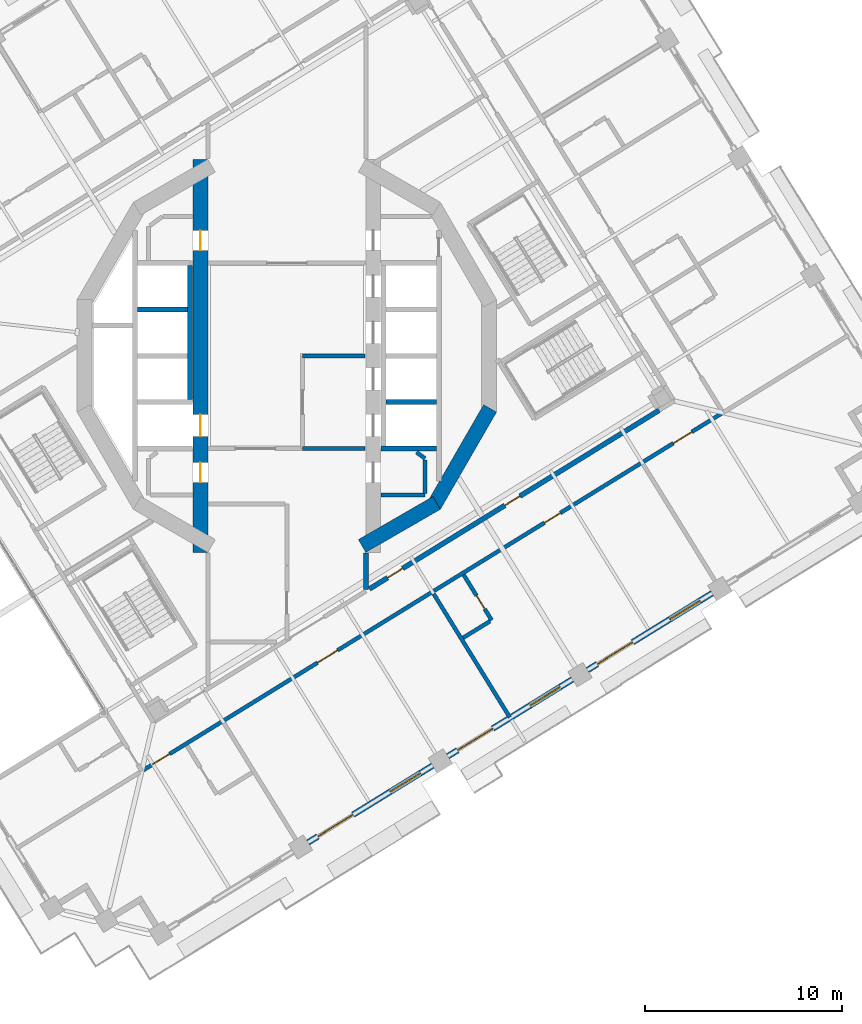
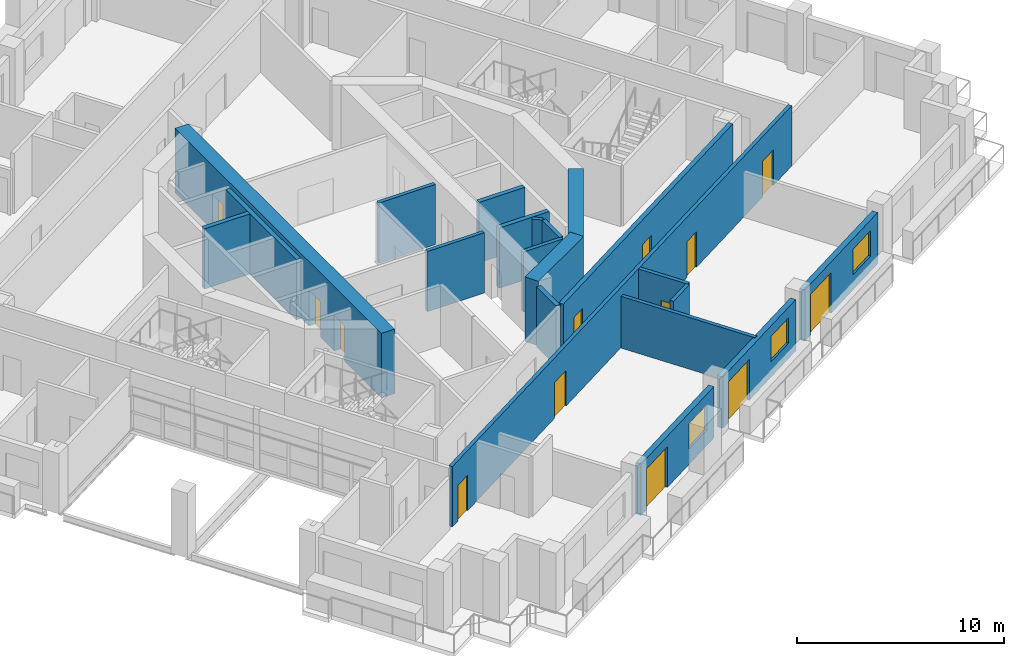
# One storey, part 9 of 22: 21 walls, 13 doors, 3 windows, 16 openings.
"""IFC4 building model written with IfcOpenShell, lengths in metres."""

import ifcopenshell
import ifcopenshell.guid

model = None  # the IFC model being written
_history = None  # IfcOwnerHistory: only IFC2X3 demands one
_inside = {}  # id of a spatial element -> (the spatial element, [elements in it])
_under = {}  # id of a project, library or spatial element -> (it, [spatial elements below it])
_declared = {}  # id of a project -> (the project, [libraries it declares])
_typed = {}  # id of a type object -> (the type object, [elements of that type])
_made_of = {}  # id of a material, layer set ... -> (it, [elements and type objects made of it])


def new_model(schema):
    """Start an empty IFC model of exactly this schema.

    Asked for "IFC4X3", IfcOpenShell would pick the latest addendum, in which some entities
    have other attributes; the version numbers below select the first issue.
    IFC2X3 requires an IfcOwnerHistory on every rooted entity: one is made here for all.
    """
    global model, _history
    if schema == "IFC4X3":
        model = ifcopenshell.file(schema_version=(4, 3, 0, 0))
    else:
        model = ifcopenshell.file(schema=schema)
    _inside.clear()
    _under.clear()
    _declared.clear()
    _typed.clear()
    _made_of.clear()
    _history = None
    if model.schema == "IFC2X3":
        org = make("IfcOrganization", Name="unknown")
        user = make(
            "IfcPersonAndOrganization",
            ThePerson=make("IfcPerson", FamilyName="unknown"),
            TheOrganization=org,
        )
        app = make(
            "IfcApplication",
            ApplicationDeveloper=org,
            Version="unknown",
            ApplicationFullName="unknown",
            ApplicationIdentifier="unknown",
        )
        _history = make(
            "IfcOwnerHistory",
            OwningUser=user,
            OwningApplication=app,
            ChangeAction="ADDED",
            CreationDate=0,
        )
    return model


def make(cls, **values):
    """One entity of the class cls with the attributes given. An attribute that is None is left unset."""
    return model.create_entity(
        cls, **{name: value for name, value in values.items() if value is not None}
    )


def rooted(cls, **values):
    """An entity with a GlobalId (a new one), such as an element, a storey or a relation."""
    return make(cls, GlobalId=ifcopenshell.guid.new(), OwnerHistory=_history, **values)


def si_unit(unit_type, name, prefix=None):
    """IfcSIUnit, for example si_unit("LENGTHUNIT", "METRE", prefix="MILLI")."""
    return make("IfcSIUnit", UnitType=unit_type, Prefix=prefix, Name=name)


def assignment(units):
    """IfcUnitAssignment: the units of a project."""
    return None if units is None else make("IfcUnitAssignment", Units=units)


def point(xyz):
    """IfcCartesianPoint."""
    return None if xyz is None else make("IfcCartesianPoint", Coordinates=xyz)


def direction(xyz):
    """IfcDirection."""
    return None if xyz is None else make("IfcDirection", DirectionRatios=xyz)


def frame(location, z_axis=None, x_axis=None):
    """IfcAxis2Placement3D, a coordinate frame: its origin and axes. An axis left out is left unset."""
    return make(
        "IfcAxis2Placement3D",
        Location=point(location),
        Axis=direction(z_axis),
        RefDirection=direction(x_axis),
    )


def frame_2d(location, x_axis=None):
    """IfcAxis2Placement2D, a coordinate frame in the plane: its origin and x axis."""
    return make(
        "IfcAxis2Placement2D", Location=point(location), RefDirection=direction(x_axis)
    )


def origin():
    """The frame at (0, 0, 0) with its axes left unset."""
    return frame((0.0, 0.0, 0.0))


def place(relative_to, where):
    """IfcLocalPlacement: puts the frame where relative to a parent placement (None: the world)."""
    return make(
        "IfcLocalPlacement", PlacementRelTo=relative_to, RelativePlacement=where
    )


def context(
    kind, dimensions, precision=None, world=None, true_north=None, identifier=None
):
    """IfcGeometricRepresentationContext, for example the 3D "Model" context."""
    return make(
        "IfcGeometricRepresentationContext",
        ContextIdentifier=identifier,
        ContextType=kind,
        CoordinateSpaceDimension=dimensions,
        Precision=precision,
        WorldCoordinateSystem=world,
        TrueNorth=true_north,
    )


def subcontext(parent, identifier, kind, view, scale=None):
    """IfcGeometricRepresentationSubContext, for example "Body" below "Model"."""
    return make(
        "IfcGeometricRepresentationSubContext",
        ContextIdentifier=identifier,
        ContextType=kind,
        ParentContext=parent,
        TargetScale=scale,
        TargetView=view,
    )


def project(units=None, contexts=None):
    """IfcProject with its units and contexts."""
    return rooted(
        "IfcProject",
        Name="project",
        RepresentationContexts=contexts,
        UnitsInContext=assignment(units),
    )


def spatial(cls, under=None, at=None, **own):
    """A site, building, storey or space (cls), placed at a placement, below another one or the project."""
    s = rooted(cls, ObjectPlacement=at, **own)
    if under is not None:
        _under.setdefault(under.id(), (under, []))[1].append(s)
    return s


def profile(cls, at=None, kind="AREA", **sizes):
    """A parametric profile (cls). Its sizes go by their IFC names, for example OverallWidth=200.0."""
    return make(cls, ProfileType=kind, Position=at, **sizes)


def rectangle(**sizes):
    """IfcRectangleProfileDef."""
    return profile("IfcRectangleProfileDef", **sizes)


def extrude(swept, where, along, depth):
    """IfcExtrudedAreaSolid: the profile swept, set in the frame where, extruded along a direction by depth."""
    return make(
        "IfcExtrudedAreaSolid",
        SweptArea=swept,
        Position=where,
        ExtrudedDirection=direction(along),
        Depth=depth,
    )


def shape(context_of_items, identifier, shape_type, items):
    """IfcShapeRepresentation: the items that make up one representation, for example the "Body"."""
    return make(
        "IfcShapeRepresentation",
        ContextOfItems=context_of_items,
        RepresentationIdentifier=identifier,
        RepresentationType=shape_type,
        Items=items,
    )


def material(Name=None, Category=None):
    """IfcMaterial."""
    return make("IfcMaterial", Name=Name, Category=Category)


def layer(
    of_material, thickness, ventilated=None, Name=None, Category=None, Priority=None
):
    """IfcMaterialLayer: one layer of a wall or slab, of a material (None: an air gap)."""
    return make(
        "IfcMaterialLayer",
        Material=of_material,
        LayerThickness=thickness,
        IsVentilated=ventilated,
        Name=Name,
        Category=Category,
        Priority=Priority,
    )


def layer_set(layers, Name=None):
    """IfcMaterialLayerSet."""
    return make("IfcMaterialLayerSet", MaterialLayers=layers, LayerSetName=Name)


def made_of(thing, what):
    """Note that an element or type object is made of a material, layer set ...; save() writes the relation."""
    if what is not None:
        _made_of.setdefault(what.id(), (what, []))[1].append(thing)
    return thing


def type_object(cls, material=None, **own):
    """A type object (cls), such as IfcWallType, which elements share."""
    return made_of(rooted(cls, **own), material)


def element(
    cls,
    number,
    at=None,
    inside=None,
    cuts=None,
    type_object=None,
    material=None,
    context=None,
    identifier="Body",
    shape_type=None,
    held_by="IfcProductDefinitionShape",
    body=None,
    shapes=None,
    **own,
):
    """One element of the class cls, such as IfcWall. Its Tag is "e" and its number.

    at: its placement. inside: the storey or other place that contains it. cuts: it is an
    opening in that element (IfcRelVoidsElement). A single representation is given by context,
    identifier, shape_type and body (its items); several are given by shapes. held_by: the class
    of the entity that holds the representations. save() writes the other relations.
    """
    e = rooted(cls, Tag="e%d" % number, ObjectPlacement=at, **own)
    if body is not None:
        shapes = [shape(context, identifier, shape_type, body)]
    if shapes is not None:
        e.Representation = make(held_by, Representations=shapes)
    if inside is not None:
        _inside.setdefault(inside.id(), (inside, []))[1].append(e)
    if cuts is not None:
        rooted(
            "IfcRelVoidsElement", RelatingBuildingElement=cuts, RelatedOpeningElement=e
        )
    if type_object is not None:
        _typed.setdefault(type_object.id(), (type_object, []))[1].append(e)
    return made_of(e, material)


def fill(opening, filler):
    """IfcRelFillsElement: the door or window that sits in an opening."""
    return rooted(
        "IfcRelFillsElement",
        RelatingOpeningElement=opening,
        RelatedBuildingElement=filler,
    )


def aggregate(whole, parts):
    """IfcRelAggregates: a whole, such as a stair, and the parts it consists of."""
    return rooted("IfcRelAggregates", RelatingObject=whole, RelatedObjects=parts)


def save(model, path):
    """Write the relations noted so far, then the file.

    IfcRelAggregates (storeys below a building ...), IfcRelContainedInSpatialStructure (elements
    in a storey), IfcRelDefinesByType, IfcRelAssociatesMaterial and IfcRelDeclares: one each for
    every whole, place, type object, material and project.
    """
    for whole, parts in _under.values():
        aggregate(whole, parts)
    for where, things in _inside.values():
        rooted(
            "IfcRelContainedInSpatialStructure",
            RelatedElements=things,
            RelatingStructure=where,
        )
    for kind, things in _typed.values():
        rooted("IfcRelDefinesByType", RelatedObjects=things, RelatingType=kind)
    for what, things in _made_of.values():
        rooted("IfcRelAssociatesMaterial", RelatedObjects=things, RelatingMaterial=what)
    for by, libraries in _declared.values():
        rooted("IfcRelDeclares", RelatingContext=by, RelatedDefinitions=libraries)
    model.write(path)


model = new_model("IFC4")

# Units and contexts
model_context = context("Model", 3, precision=1e-05, world=origin(), true_north=direction((0.0, 1.0)))
body_context = subcontext(model_context, "Body", "Model", "MODEL_VIEW")
ifc_project = project(units=[si_unit("LENGTHUNIT", "METRE"), si_unit("AREAUNIT", "SQUARE_METRE"), si_unit("VOLUMEUNIT", "CUBIC_METRE"), si_unit("PLANEANGLEUNIT", "RADIAN"), si_unit("MASSUNIT", "GRAM", prefix="KILO")], contexts=[model_context])

# Site, building, storey
site_placement = place(None, origin())
site = spatial("IfcSite", under=ifc_project, at=site_placement, CompositionType="ELEMENT")
building_placement = place(site_placement, origin())
building = spatial("IfcBuilding", under=site, at=building_placement, Name="Cantera Rosa Tower", CompositionType="ELEMENT")
storey_placement = place(building_placement, frame((0.0, 0.0, 166.60009765625)))
storey = spatial("IfcBuildingStorey", under=building, at=storey_placement, Name="L36", CompositionType="ELEMENT", Elevation=166.60009765625)

# Wall, openings, doors
ifc_material_1 = material(Name="Gypsum board partition")
ifc_layer_1 = layer(ifc_material_1, 0.199951171875)
ifc_layer_set_1 = layer_set([ifc_layer_1], Name="CORRIDOR WALL 200 H3550")
wall_type_1 = type_object("IfcWallType", Name="CORRIDOR WALL 200 H3550", PredefinedType="PARTITIONING", material=ifc_layer_set_1)
wall_1_placement = place(storey_placement, frame((-7.26318359375, -20.98779296875, 0.0), z_axis=(0.0, 0.0, 1.0), x_axis=(0.851116274649, 0.524977225246, 0.0)))
wall_1 = element("IfcWall", 1, at=wall_1_placement, inside=storey, type_object=wall_type_1, Name="CORRIDOR WALL L36-042", PredefinedType="PARTITIONING", context=body_context, shape_type="SweptSolid", body=[
    extrude(rectangle(XDim=34.499755859375, YDim=0.199951171875, at=frame_2d((17.25, 0.0))), origin(), (0.0, 0.0, 1.0), 3.5498046875),
])
opening_1_placement = place(wall_1_placement, frame((10.360107421875, 0.0, 0.0)))
opening_1 = element("IfcOpeningElement", 2, at=opening_1_placement, cuts=wall_1, Name="Opening L36-041", PredefinedType="OPENING", context=body_context, shape_type="SweptSolid", body=[
    extrude(rectangle(XDim=1.199951171875, YDim=2.10009765625, at=frame_2d((0.60009765625, 1.050048828125))), frame((0.0, 0.10986328125, 0.0), z_axis=(0.0, -1.0, 0.0), x_axis=(1.0, 0.0, 0.0)), (0.0, 0.0, 1.0), 0.219970703125),
])
opening_2_placement = place(wall_1_placement, frame((23.864990234375, 0.0, 0.0)))
opening_2 = element("IfcOpeningElement", 3, at=opening_2_placement, cuts=wall_1, Name="Opening L36-042", PredefinedType="OPENING", context=body_context, shape_type="SweptSolid", body=[
    extrude(rectangle(XDim=0.949951171875, YDim=2.10009765625, at=frame_2d((0.47509765625, 1.050048828125))), frame((0.0, 0.10986328125, 0.0), z_axis=(0.0, -1.0, 0.0), x_axis=(1.0, 0.0, 0.0)), (0.0, 0.0, 1.0), 0.219970703125),
])
opening_3_placement = place(wall_1_placement, frame((0.550048828125, 0.0, 0.0)))
opening_3 = element("IfcOpeningElement", 4, at=opening_3_placement, cuts=wall_1, Name="Opening L36-044", PredefinedType="OPENING", context=body_context, shape_type="SweptSolid", body=[
    extrude(rectangle(XDim=1.0, YDim=2.10009765625, at=frame_2d((0.5, 1.050048828125))), frame((0.0, 0.10986328125, 0.0), z_axis=(0.0, -1.0, 0.0), x_axis=(1.0, 0.0, 0.0)), (0.0, 0.0, 1.0), 0.219970703125),
])
opening_4_placement = place(wall_1_placement, frame((31.5400390625, 0.0, 0.0)))
opening_4 = element("IfcOpeningElement", 5, at=opening_4_placement, cuts=wall_1, Name="Opening L36-046", PredefinedType="OPENING", context=body_context, shape_type="SweptSolid", body=[
    extrude(rectangle(XDim=1.10009765625, YDim=2.10009765625, at=frame_2d((0.550048828125, 1.050048828125))), frame((0.0, 0.10986328125, 0.0), z_axis=(0.0, -1.0, 0.0), x_axis=(1.0, 0.0, 0.0)), (0.0, 0.0, 1.0), 0.219970703125),
])
ifc_material_2 = material(Name="Timber door leaf", Category="wood")
door_type_1 = type_object("IfcDoorType", Name="ENTRANCE DOOR 1000x2100", OperationType="NOTDEFINED", PredefinedType="DOOR", material=ifc_material_2)
door_1_placement = place(opening_3_placement, origin())
door_1 = element("IfcDoor", 6, at=door_1_placement, inside=storey, type_object=door_type_1, Name="DOOR L36-044", OperationType="NOTDEFINED", OverallHeight=2.10009765625, OverallWidth=1.0, PredefinedType="DOOR", context=body_context, shape_type="SweptSolid", body=[
    extrude(rectangle(XDim=1.0, YDim=2.10009765625, at=frame_2d((0.5, 1.050048828125))), frame((0.0, 0.02490234375, 0.0), z_axis=(0.0, -1.0, 0.0), x_axis=(1.0, 0.0, 0.0)), (0.0, 0.0, 1.0), 0.050048828125),
])
fill(opening_3, door_1)
ifc_material_3 = material(Name="Timber door leaf", Category="wood")
door_type_2 = type_object("IfcDoorType", Name="ROOM DOOR 1100x2100", OperationType="NOTDEFINED", PredefinedType="DOOR", material=ifc_material_3)
door_2_placement = place(opening_4_placement, origin())
door_2 = element("IfcDoor", 7, at=door_2_placement, inside=storey, type_object=door_type_2, Name="DOOR L36-046", OperationType="NOTDEFINED", OverallHeight=2.10009765625, OverallWidth=1.10009765625, PredefinedType="DOOR", context=body_context, shape_type="SweptSolid", body=[
    extrude(rectangle(XDim=1.10009765625, YDim=2.10009765625, at=frame_2d((0.550048828125, 1.050048828125))), frame((0.0, 0.02490234375, 0.0), z_axis=(0.0, -1.0, 0.0), x_axis=(1.0, 0.0, 0.0)), (0.0, 0.0, 1.0), 0.050048828125),
])
fill(opening_4, door_2)
ifc_material_4 = material(Name="Timber door leaf", Category="wood")
door_type_3 = type_object("IfcDoorType", Name="ROOM DOOR 1200x2100", OperationType="NOTDEFINED", PredefinedType="DOOR", material=ifc_material_4)
door_3_placement = place(opening_1_placement, origin())
door_3 = element("IfcDoor", 8, at=door_3_placement, inside=storey, type_object=door_type_3, Name="DOOR L36-041", OperationType="NOTDEFINED", OverallHeight=2.10009765625, OverallWidth=1.199951171875, PredefinedType="DOOR", context=body_context, shape_type="SweptSolid", body=[
    extrude(rectangle(XDim=1.199951171875, YDim=2.10009765625, at=frame_2d((0.60009765625, 1.050048828125))), frame((0.0, 0.02490234375, 0.0), z_axis=(0.0, -1.0, 0.0), x_axis=(1.0, 0.0, 0.0)), (0.0, 0.0, 1.0), 0.050048828125),
])
fill(opening_1, door_3)
ifc_material_5 = material(Name="Timber door leaf", Category="wood")
door_type_4 = type_object("IfcDoorType", Name="ROOM DOOR 950x2100", OperationType="NOTDEFINED", PredefinedType="DOOR", material=ifc_material_5)
door_4_placement = place(opening_2_placement, origin())
door_4 = element("IfcDoor", 9, at=door_4_placement, inside=storey, type_object=door_type_4, Name="DOOR L36-042", OperationType="NOTDEFINED", OverallHeight=2.10009765625, OverallWidth=0.949951171875, PredefinedType="DOOR", context=body_context, shape_type="SweptSolid", body=[
    extrude(rectangle(XDim=0.949951171875, YDim=2.10009765625, at=frame_2d((0.47509765625, 1.050048828125))), frame((0.0, 0.02490234375, 0.0), z_axis=(0.0, -1.0, 0.0), x_axis=(1.0, 0.0, 0.0)), (0.0, 0.0, 1.0), 0.050048828125),
])
fill(opening_2, door_4)

# Wall, openings, window, door
ifc_material_6 = material(Name="Hollow clay masonry with cantera stone cladding", Category="masonry")
ifc_layer_2 = layer(ifc_material_6, 0.300048828125)
ifc_layer_set_2 = layer_set([ifc_layer_2], Name="EW-LOGGIA 300 H3020")
wall_type_2 = type_object("IfcWallType", Name="EW-LOGGIA 300 H3020", PredefinedType="SOLIDWALL", material=ifc_layer_set_2)
wall_2_placement = place(storey_placement, frame((1.07421875, -24.656982421875, 0.0), z_axis=(0.0, 0.0, 1.0), x_axis=(0.85112578684, 0.524961803349, 0.0)))
wall_2 = element("IfcWall", 10, at=wall_2_placement, inside=storey, type_object=wall_type_2, Name="EN-L36-W23", PredefinedType="SOLIDWALL", context=body_context, shape_type="SweptSolid", body=[
    extrude(rectangle(XDim=7.420166015625, YDim=0.300048828125, at=frame_2d((3.7099609375, 0.0))), origin(), (0.0, 0.0, 1.0), 3.02001953125),
])
opening_5_placement = place(wall_2_placement, frame((0.580078125, 0.0, 0.0)))
opening_5 = element("IfcOpeningElement", 11, at=opening_5_placement, cuts=wall_2, Name="Opening L36-TD29", PredefinedType="OPENING", context=body_context, shape_type="SweptSolid", body=[
    extrude(rectangle(XDim=2.10009765625, YDim=2.39990234375, at=frame_2d((1.050048828125, 1.199951171875))), frame((0.0, 0.159912109375, 0.0), z_axis=(0.0, -1.0, 0.0), x_axis=(1.0, 0.0, 0.0)), (0.0, 0.0, 1.0), 0.320068359375),
])
opening_6_placement = place(wall_2_placement, frame((4.889892578125, 0.0, 0.89990234375)))
opening_6 = element("IfcOpeningElement", 12, at=opening_6_placement, cuts=wall_2, Name="Opening L36-W30", PredefinedType="OPENING", context=body_context, shape_type="SweptSolid", body=[
    extrude(rectangle(XDim=1.800048828125, YDim=1.5, at=frame_2d((0.89990234375, 0.75))), frame((0.0, 0.159912109375, 0.0), z_axis=(0.0, -1.0, 0.0), x_axis=(1.0, 0.0, 0.0)), (0.0, 0.0, 1.0), 0.320068359375),
])
ifc_material_7 = material(Name="Aluminium frame with clear glass", Category="aluminium")
window_type = type_object("IfcWindowType", Name="Hotel room window 1800x1500", PartitioningType="DOUBLE_PANEL_VERTICAL", PredefinedType="WINDOW", material=ifc_material_7)
window_1_placement = place(opening_6_placement, origin())
window_1 = element("IfcWindow", 13, at=window_1_placement, inside=storey, type_object=window_type, Name="WINDOW L36-W30", OverallHeight=1.5, OverallWidth=1.800048828125, PartitioningType="SINGLE_PANEL", PredefinedType="WINDOW", context=body_context, shape_type="SweptSolid", body=[
    extrude(rectangle(XDim=1.800048828125, YDim=1.5, at=frame_2d((0.89990234375, 0.75))), frame((0.0, 0.030029296875, 0.0), z_axis=(0.0, -1.0, 0.0), x_axis=(1.0, 0.0, 0.0)), (0.0, 0.0, 1.0), 0.06005859375),
])
fill(opening_6, window_1)
ifc_material_8 = material(Name="Aluminium frame with clear glass", Category="aluminium")
door_type_5 = type_object("IfcDoorType", Name="TD-H 2100x2400", OperationType="NOTDEFINED", PredefinedType="DOOR", material=ifc_material_8)
door_5_placement = place(opening_5_placement, origin())
door_5 = element("IfcDoor", 14, at=door_5_placement, inside=storey, type_object=door_type_5, Name="LOGGIA DOOR L36-TD29", OperationType="SLIDING_TO_LEFT", OverallHeight=2.39990234375, OverallWidth=2.10009765625, PredefinedType="DOOR", context=body_context, shape_type="SweptSolid", body=[
    extrude(rectangle(XDim=2.10009765625, YDim=2.39990234375, at=frame_2d((1.050048828125, 1.199951171875))), frame((0.0, 0.02490234375, 0.0), z_axis=(0.0, -1.0, 0.0), x_axis=(1.0, 0.0, 0.0)), (0.0, 0.0, 1.0), 0.050048828125),
])
fill(opening_5, door_5)

wall_3_placement = place(storey_placement, frame((8.155517578125, -20.289306640625, 0.0), z_axis=(0.0, 0.0, 1.0), x_axis=(0.851111085575, 0.524985637909, 0.0)))
wall_3 = element("IfcWall", 15, at=wall_3_placement, inside=storey, type_object=wall_type_2, Name="EN-L36-W24", PredefinedType="SOLIDWALL", context=body_context, shape_type="SweptSolid", body=[
    extrude(rectangle(XDim=7.420166015625, YDim=0.300048828125, at=frame_2d((3.7099609375, 0.0))), origin(), (0.0, 0.0, 1.0), 3.02001953125),
])
opening_7_placement = place(wall_3_placement, frame((0.580078125, 0.0, 0.0)))
opening_7 = element("IfcOpeningElement", 16, at=opening_7_placement, cuts=wall_3, Name="Opening L36-TD31", PredefinedType="OPENING", context=body_context, shape_type="SweptSolid", body=[
    extrude(rectangle(XDim=2.10009765625, YDim=2.39990234375, at=frame_2d((1.050048828125, 1.199951171875))), frame((0.0, 0.159912109375, 0.0), z_axis=(0.0, -1.0, 0.0), x_axis=(1.0, 0.0, 0.0)), (0.0, 0.0, 1.0), 0.320068359375),
])
opening_8_placement = place(wall_3_placement, frame((4.889892578125, 0.0, 0.89990234375)))
opening_8 = element("IfcOpeningElement", 17, at=opening_8_placement, cuts=wall_3, Name="Opening L36-W32", PredefinedType="OPENING", context=body_context, shape_type="SweptSolid", body=[
    extrude(rectangle(XDim=1.800048828125, YDim=1.5, at=frame_2d((0.89990234375, 0.75))), frame((0.0, 0.159912109375, 0.0), z_axis=(0.0, -1.0, 0.0), x_axis=(1.0, 0.0, 0.0)), (0.0, 0.0, 1.0), 0.320068359375),
])
window_2_placement = place(opening_8_placement, origin())
window_2 = element("IfcWindow", 18, at=window_2_placement, inside=storey, type_object=window_type, Name="WINDOW L36-W32", OverallHeight=1.5, OverallWidth=1.800048828125, PartitioningType="SINGLE_PANEL", PredefinedType="WINDOW", context=body_context, shape_type="SweptSolid", body=[
    extrude(rectangle(XDim=1.800048828125, YDim=1.5, at=frame_2d((0.89990234375, 0.75))), frame((0.0, 0.030029296875, 0.0), z_axis=(0.0, -1.0, 0.0), x_axis=(1.0, 0.0, 0.0)), (0.0, 0.0, 1.0), 0.06005859375),
])
fill(opening_8, window_2)
door_6_placement = place(opening_7_placement, origin())
door_6 = element("IfcDoor", 19, at=door_6_placement, inside=storey, type_object=door_type_5, Name="LOGGIA DOOR L36-TD31", OperationType="SLIDING_TO_LEFT", OverallHeight=2.39990234375, OverallWidth=2.10009765625, PredefinedType="DOOR", context=body_context, shape_type="SweptSolid", body=[
    extrude(rectangle(XDim=2.10009765625, YDim=2.39990234375, at=frame_2d((1.050048828125, 1.199951171875))), frame((0.0, 0.02490234375, 0.0), z_axis=(0.0, -1.0, 0.0), x_axis=(1.0, 0.0, 0.0)), (0.0, 0.0, 1.0), 0.050048828125),
])
fill(opening_7, door_6)

wall_4_placement = place(storey_placement, frame((15.23681640625, -15.92138671875, 0.0), z_axis=(0.0, 0.0, 1.0), x_axis=(0.85112578684, 0.524961803349, 0.0)))
wall_4 = element("IfcWall", 20, at=wall_4_placement, inside=storey, type_object=wall_type_2, Name="EN-L36-W25", PredefinedType="SOLIDWALL", context=body_context, shape_type="SweptSolid", body=[
    extrude(rectangle(XDim=7.420166015625, YDim=0.300048828125, at=frame_2d((3.7099609375, 0.0))), origin(), (0.0, 0.0, 1.0), 3.02001953125),
])
opening_9_placement = place(wall_4_placement, frame((0.580078125, 0.0, 0.0)))
opening_9 = element("IfcOpeningElement", 21, at=opening_9_placement, cuts=wall_4, Name="Opening L36-TD33", PredefinedType="OPENING", context=body_context, shape_type="SweptSolid", body=[
    extrude(rectangle(XDim=2.10009765625, YDim=2.39990234375, at=frame_2d((1.050048828125, 1.199951171875))), frame((0.0, 0.159912109375, 0.0), z_axis=(0.0, -1.0, 0.0), x_axis=(1.0, 0.0, 0.0)), (0.0, 0.0, 1.0), 0.320068359375),
])
opening_10_placement = place(wall_4_placement, frame((4.889892578125, 0.0, 0.89990234375)))
opening_10 = element("IfcOpeningElement", 22, at=opening_10_placement, cuts=wall_4, Name="Opening L36-W34", PredefinedType="OPENING", context=body_context, shape_type="SweptSolid", body=[
    extrude(rectangle(XDim=1.800048828125, YDim=1.5, at=frame_2d((0.89990234375, 0.75))), frame((0.0, 0.159912109375, 0.0), z_axis=(0.0, -1.0, 0.0), x_axis=(1.0, 0.0, 0.0)), (0.0, 0.0, 1.0), 0.320068359375),
])
window_3_placement = place(opening_10_placement, origin())
window_3 = element("IfcWindow", 23, at=window_3_placement, inside=storey, type_object=window_type, Name="WINDOW L36-W34", OverallHeight=1.5, OverallWidth=1.800048828125, PartitioningType="SINGLE_PANEL", PredefinedType="WINDOW", context=body_context, shape_type="SweptSolid", body=[
    extrude(rectangle(XDim=1.800048828125, YDim=1.5, at=frame_2d((0.89990234375, 0.75))), frame((0.0, 0.030029296875, 0.0), z_axis=(0.0, -1.0, 0.0), x_axis=(1.0, 0.0, 0.0)), (0.0, 0.0, 1.0), 0.06005859375),
])
fill(opening_10, window_3)
door_7_placement = place(opening_9_placement, origin())
door_7 = element("IfcDoor", 24, at=door_7_placement, inside=storey, type_object=door_type_5, Name="LOGGIA DOOR L36-TD33", OperationType="SLIDING_TO_LEFT", OverallHeight=2.39990234375, OverallWidth=2.10009765625, PredefinedType="DOOR", context=body_context, shape_type="SweptSolid", body=[
    extrude(rectangle(XDim=2.10009765625, YDim=2.39990234375, at=frame_2d((1.050048828125, 1.199951171875))), frame((0.0, 0.02490234375, 0.0), z_axis=(0.0, -1.0, 0.0), x_axis=(1.0, 0.0, 0.0)), (0.0, 0.0, 1.0), 0.050048828125),
])
fill(opening_9, door_7)

# Walls
ifc_material_9 = material(Name="Gypsum board partition")
ifc_layer_3 = layer(ifc_material_9, 0.199951171875)
ifc_layer_set_3 = layer_set([ifc_layer_3], Name="PARTITION 200 H3550")
wall_type_3 = type_object("IfcWallType", Name="PARTITION 200 H3550", PredefinedType="PARTITIONING", material=ifc_layer_set_3)
wall_5_placement = place(storey_placement, frame((6.572509765625, -4.888427734375, 0.0), z_axis=(0.0, 0.0, 1.0), x_axis=(0.808176867567, -0.588939853236, 0.0)))
element("IfcWall", 25, at=wall_5_placement, inside=storey, type_object=wall_type_3, Name="PARTITION L36-086", PredefinedType="PARTITIONING", context=body_context, shape_type="SweptSolid", body=[
    extrude(rectangle(XDim=0.529052734375, YDim=0.199951171875, at=frame_2d((0.2646484375, 0.0))), origin(), (0.0, 0.0, 1.0), 3.5498046875),
])
wall_6_placement = place(storey_placement, frame((7.0, -7.050048828125, 0.0), z_axis=(0.0, 0.0, 1.0), x_axis=(-1.0, 0.0, 0.0)))
element("IfcWall", 26, at=wall_6_placement, inside=storey, type_object=wall_type_3, Name="PARTITION L36-089", PredefinedType="PARTITIONING", context=body_context, shape_type="SweptSolid", body=[
    extrude(rectangle(XDim=2.219970703125, YDim=0.199951171875, at=frame_2d((1.10986328125, 0.0))), origin(), (0.0, 0.0, 1.0), 3.5498046875),
])
wall_7_placement = place(storey_placement, frame((7.0, -5.280029296875, 0.0), z_axis=(0.0, 0.0, 1.0), x_axis=(0.0, -1.0, 0.0)))
element("IfcWall", 27, at=wall_7_placement, inside=storey, type_object=wall_type_3, Name="PARTITION L36-090", PredefinedType="PARTITIONING", context=body_context, shape_type="SweptSolid", body=[
    extrude(rectangle(XDim=1.68994140625, YDim=0.199951171875, at=frame_2d((0.844970703125, 0.0))), origin(), (0.0, 0.0, 1.0), 3.5498046875),
])

# Wall, opening, door
wall_8_placement = place(storey_placement, frame((8.96044921875, -11.098388671875, 0.0), z_axis=(0.0, 0.0, 1.0), x_axis=(0.524974952644, -0.85111767641, 0.0)))
wall_8 = element("IfcWall", 28, at=wall_8_placement, inside=storey, type_object=wall_type_3, Name="PARTITION L36-098", PredefinedType="PARTITIONING", context=body_context, shape_type="SweptSolid", body=[
    extrude(rectangle(XDim=2.7001953125, YDim=0.199951171875, at=frame_2d((1.35009765625, 0.0))), origin(), (0.0, 0.0, 1.0), 3.5498046875),
])
opening_11_placement = place(wall_8_placement, frame((1.236083984375, 0.0, 0.0)))
opening_11 = element("IfcOpeningElement", 29, at=opening_11_placement, cuts=wall_8, Name="Opening L36-043", PredefinedType="OPENING", context=body_context, shape_type="SweptSolid", body=[
    extrude(rectangle(XDim=0.800048828125, YDim=2.10009765625, at=frame_2d((0.39990234375, 1.050048828125))), frame((0.0, 0.10986328125, 0.0), z_axis=(0.0, -1.0, 0.0), x_axis=(1.0, 0.0, 0.0)), (0.0, 0.0, 1.0), 0.219970703125),
])
ifc_material_10 = material(Name="Timber door leaf", Category="wood")
door_type_6 = type_object("IfcDoorType", Name="BATHROOM DOOR 800x2100", OperationType="NOTDEFINED", PredefinedType="DOOR", material=ifc_material_10)
door_8_placement = place(opening_11_placement, origin())
door_8 = element("IfcDoor", 30, at=door_8_placement, inside=storey, type_object=door_type_6, Name="DOOR L36-043", OperationType="NOTDEFINED", OverallHeight=2.10009765625, OverallWidth=0.800048828125, PredefinedType="DOOR", context=body_context, shape_type="SweptSolid", body=[
    extrude(rectangle(XDim=0.800048828125, YDim=2.10009765625, at=frame_2d((0.39990234375, 1.050048828125))), frame((0.0, 0.02490234375, 0.0), z_axis=(0.0, -1.0, 0.0), x_axis=(1.0, 0.0, 0.0)), (0.0, 0.0, 1.0), 0.050048828125),
])
fill(opening_11, door_8)

# Walls
wall_9_placement = place(storey_placement, frame((10.292724609375, -13.448974609375, 0.0), z_axis=(0.0, 0.0, 1.0), x_axis=(-0.851154962238, -0.524914498045, 0.0)))
element("IfcWall", 31, at=wall_9_placement, inside=storey, type_object=wall_type_3, Name="PARTITION L36-100", PredefinedType="PARTITIONING", context=body_context, shape_type="SweptSolid", body=[
    extrude(rectangle(XDim=1.599853515625, YDim=0.199951171875, at=frame_2d((0.7998046875, 0.0))), origin(), (0.0, 0.0, 1.0), 3.5498046875),
])
ifc_material_11 = material(Name="Gypsum board partition")
ifc_layer_4 = layer(ifc_material_11, 0.199951171875)
ifc_layer_set_4 = layer_set([ifc_layer_4], Name="PARTY WALL 200 H3050")
wall_type_4 = type_object("IfcWallType", Name="PARTY WALL 200 H3050", PredefinedType="PARTITIONING", material=ifc_layer_set_4)
wall_10_placement = place(storey_placement, frame((7.43896484375, -12.060302734375, 0.0), z_axis=(0.0, 0.0, 1.0), x_axis=(0.52498856982, -0.851109277096, 0.0)))
element("IfcWall", 32, at=wall_10_placement, inside=storey, type_object=wall_type_4, Name="PARTY WALL L36-094", PredefinedType="PARTITIONING", context=body_context, shape_type="SweptSolid", body=[
    extrude(rectangle(XDim=7.349853515625, YDim=0.199951171875, at=frame_2d((3.6748046875, 0.0))), origin(), (0.0, 0.0, 1.0), 3.0498046875),
])

# Wall, openings, doors
ifc_material_12 = material(Name="Concrete C60/75", Category="concrete")
ifc_layer_5 = layer(ifc_material_12, 0.75)
ifc_layer_set_5 = layer_set([ifc_layer_5], Name="RC CORE WALL 750 C60/75")
wall_type_5 = type_object("IfcWallType", Name="RC CORE WALL 750 C60/75", PredefinedType="SHEAR", material=ifc_layer_set_5)
wall_11_placement = place(storey_placement, frame((-4.375, 9.95947265625, 0.0), z_axis=(0.0, 0.0, 1.0), x_axis=(0.0, -1.0, 0.0)))
wall_11 = element("IfcWall", 33, at=wall_11_placement, inside=storey, type_object=wall_type_5, Name="CW-W6 L36", PredefinedType="SHEAR", context=body_context, shape_type="SweptSolid", body=[
    extrude(rectangle(XDim=19.9189453125, YDim=0.75, at=frame_2d((9.95947265625, 0.0))), origin(), (0.0, 0.0, 1.0), 3.7998046875),
])
opening_12_placement = place(wall_11_placement, frame((12.9345703125, 0.0, 0.0)))
opening_12 = element("IfcOpeningElement", 34, at=opening_12_placement, cuts=wall_11, Name="Opening LD-P3-L36", PredefinedType="OPENING", context=body_context, shape_type="SweptSolid", body=[
    extrude(rectangle(XDim=1.10009765625, YDim=2.10009765625, at=frame_2d((0.550048828125, 1.050048828125))), frame((0.0, 0.385009765625, 0.0), z_axis=(0.0, -1.0, 0.0), x_axis=(1.0, 0.0, 0.0)), (0.0, 0.0, 1.0), 0.77001953125),
])
opening_13_placement = place(wall_11_placement, frame((15.368408203125, 0.0, 0.0)))
opening_13 = element("IfcOpeningElement", 35, at=opening_13_placement, cuts=wall_11, Name="Opening SD-L36-17", PredefinedType="OPENING", context=body_context, shape_type="SweptSolid", body=[
    extrude(rectangle(XDim=1.0, YDim=2.10009765625, at=frame_2d((0.5, 1.050048828125))), frame((0.0, 0.385009765625, 0.0), z_axis=(0.0, -1.0, 0.0), x_axis=(1.0, 0.0, 0.0)), (0.0, 0.0, 1.0), 0.77001953125),
])
opening_14_placement = place(wall_11_placement, frame((3.618408203125, 0.0, 0.0)))
opening_14 = element("IfcOpeningElement", 36, at=opening_14_placement, cuts=wall_11, Name="Opening SD-L36-18", PredefinedType="OPENING", context=body_context, shape_type="SweptSolid", body=[
    extrude(rectangle(XDim=1.0, YDim=2.10009765625, at=frame_2d((0.5, 1.050048828125))), frame((0.0, 0.385009765625, 0.0), z_axis=(0.0, -1.0, 0.0), x_axis=(1.0, 0.0, 0.0)), (0.0, 0.0, 1.0), 0.77001953125),
])
ifc_material_13 = material(Name="Steel S355J2 (EN 10025-2)", Category="steel")
door_type_7 = type_object("IfcDoorType", Name="LANDING DOOR 1100x2100", OperationType="NOTDEFINED", PredefinedType="DOOR", material=ifc_material_13)
door_9_placement = place(opening_12_placement, origin())
door_9 = element("IfcDoor", 37, at=door_9_placement, inside=storey, type_object=door_type_7, Name="LANDING DOOR P3 L36", OperationType="SLIDING_TO_LEFT", OverallHeight=2.10009765625, OverallWidth=1.10009765625, PredefinedType="DOOR", context=body_context, shape_type="SweptSolid", body=[
    extrude(rectangle(XDim=1.10009765625, YDim=2.10009765625, at=frame_2d((0.550048828125, 1.050048828125))), frame((0.0, 0.02490234375, 0.0), z_axis=(0.0, -1.0, 0.0), x_axis=(1.0, 0.0, 0.0)), (0.0, 0.0, 1.0), 0.050048828125),
])
fill(opening_12, door_9)
ifc_material_14 = material(Name="Timber door leaf", Category="wood")
door_type_8 = type_object("IfcDoorType", Name="SERVICE DOOR 1000x2100", OperationType="NOTDEFINED", PredefinedType="DOOR", material=ifc_material_14)
door_10_placement = place(opening_13_placement, origin())
door_10 = element("IfcDoor", 38, at=door_10_placement, inside=storey, type_object=door_type_8, Name="DOOR L36-SD17", OperationType="NOTDEFINED", OverallHeight=2.10009765625, OverallWidth=1.0, PredefinedType="DOOR", context=body_context, shape_type="SweptSolid", body=[
    extrude(rectangle(XDim=1.0, YDim=2.10009765625, at=frame_2d((0.5, 1.050048828125))), frame((0.0, 0.02490234375, 0.0), z_axis=(0.0, -1.0, 0.0), x_axis=(1.0, 0.0, 0.0)), (0.0, 0.0, 1.0), 0.050048828125),
])
fill(opening_13, door_10)
door_11_placement = place(opening_14_placement, origin())
door_11 = element("IfcDoor", 39, at=door_11_placement, inside=storey, type_object=door_type_8, Name="DOOR L36-SD18", OperationType="NOTDEFINED", OverallHeight=2.10009765625, OverallWidth=1.0, PredefinedType="DOOR", context=body_context, shape_type="SweptSolid", body=[
    extrude(rectangle(XDim=1.0, YDim=2.10009765625, at=frame_2d((0.5, 1.050048828125))), frame((0.0, 0.02490234375, 0.0), z_axis=(0.0, -1.0, 0.0), x_axis=(1.0, 0.0, 0.0)), (0.0, 0.0, 1.0), 0.050048828125),
])
fill(opening_14, door_11)

# Walls
wall_12_placement = place(storey_placement, frame((10.300537109375, -2.659423828125, 0.0), z_axis=(0.0, 0.0, 1.0), x_axis=(-0.500021842983, -0.866012792365, 0.0)))
element("IfcWall", 40, at=wall_12_placement, inside=storey, type_object=wall_type_5, Name="CW-E4 L36", PredefinedType="SHEAR", context=body_context, shape_type="SweptSolid", body=[
    extrude(rectangle(XDim=5.694091796875, YDim=0.75, at=frame_2d((2.84716796875, 0.0))), origin(), (0.0, 0.0, 1.0), 3.7998046875),
])
wall_13_placement = place(storey_placement, frame((7.590576171875, -7.453369140625, 0.0), z_axis=(0.0, 0.0, 1.0), x_axis=(-0.866013176292, -0.50002117804, 0.0)))
element("IfcWall", 41, at=wall_13_placement, inside=storey, type_object=wall_type_5, Name="CW-E5 L36", PredefinedType="SHEAR", context=body_context, shape_type="SweptSolid", body=[
    extrude(rectangle(XDim=4.362548828125, YDim=0.75, at=frame_2d((2.18115234375, 0.0))), origin(), (0.0, 0.0, 1.0), 3.7998046875),
])
ifc_material_15 = material(Name="Masonry blockwork", Category="masonry")
ifc_layer_6 = layer(ifc_material_15, 0.25)
ifc_layer_set_6 = layer_set([ifc_layer_6], Name="SHAFT WALL 250 H3550")
wall_type_6 = type_object("IfcWallType", Name="SHAFT WALL 250 H3550", PredefinedType="SOLIDWALL", material=ifc_layer_set_6)
wall_14_placement = place(storey_placement, frame((-7.574951171875, 2.35009765625, 0.0), z_axis=(0.0, 0.0, 1.0), x_axis=(1.0, 0.0, 0.0)))
element("IfcWall", 42, at=wall_14_placement, inside=storey, type_object=wall_type_6, Name="SHAFT WALL L36-038", PredefinedType="SOLIDWALL", context=body_context, shape_type="SweptSolid", body=[
    extrude(rectangle(XDim=2.550048828125, YDim=0.25, at=frame_2d((1.27490234375, 0.0))), origin(), (0.0, 0.0, 1.0), 3.5498046875),
])
wall_15_placement = place(storey_placement, frame((-4.89990234375, 4.580078125, 0.0), z_axis=(0.0, 0.0, 1.0), x_axis=(0.0, -1.0, 0.0)))
element("IfcWall", 43, at=wall_15_placement, inside=storey, type_object=wall_type_6, Name="SHAFT WALL L36-053", PredefinedType="SOLIDWALL", context=body_context, shape_type="SweptSolid", body=[
    extrude(rectangle(XDim=6.80517578125, YDim=0.25, at=frame_2d((3.402587890625, 0.0))), origin(), (0.0, 0.0, 1.0), 3.5498046875),
])
wall_16_placement = place(storey_placement, frame((4.0, -11.845703125, 0.0), z_axis=(0.0, 0.0, 1.0), x_axis=(0.0, 1.0, 0.0)))
element("IfcWall", 44, at=wall_16_placement, inside=storey, type_object=wall_type_6, Name="SHAFT WALL L36-076", PredefinedType="SOLIDWALL", context=body_context, shape_type="SweptSolid", body=[
    extrude(rectangle(XDim=1.8515625, YDim=0.25, at=frame_2d((0.92578125, 0.0))), origin(), (0.0, 0.0, 1.0), 3.5498046875),
])

# Wall, openings, doors
wall_17_placement = place(storey_placement, frame((4.187255859375, -11.81005859375, 0.0), z_axis=(0.0, 0.0, 1.0), x_axis=(0.851119501836, 0.524971993153, 0.0)))
wall_17 = element("IfcWall", 45, at=wall_17_placement, inside=storey, type_object=wall_type_6, Name="SHAFT WALL L36-077", PredefinedType="SOLIDWALL", context=body_context, shape_type="SweptSolid", body=[
    extrude(rectangle(XDim=17.236328125, YDim=0.25, at=frame_2d((8.6181640625, 0.0))), origin(), (0.0, 0.0, 1.0), 3.5498046875),
])
opening_15_placement = place(wall_17_placement, frame((1.07568359375, 0.0, 0.0)))
opening_15 = element("IfcOpeningElement", 46, at=opening_15_placement, cuts=wall_17, Name="Opening L36-010", PredefinedType="OPENING", context=body_context, shape_type="SweptSolid", body=[
    extrude(rectangle(XDim=0.89990234375, YDim=2.10009765625, at=frame_2d((0.449951171875, 1.050048828125))), frame((0.0, 0.135009765625, 0.0), z_axis=(0.0, -1.0, 0.0), x_axis=(1.0, 0.0, 0.0)), (0.0, 0.0, 1.0), 0.27001953125),
])
opening_16_placement = place(wall_17_placement, frame((8.05810546875, 0.0, 0.0)))
opening_16 = element("IfcOpeningElement", 47, at=opening_16_placement, cuts=wall_17, Name="Opening L36-047", PredefinedType="OPENING", context=body_context, shape_type="SweptSolid", body=[
    extrude(rectangle(XDim=0.89990234375, YDim=2.10009765625, at=frame_2d((0.449951171875, 1.050048828125))), frame((0.0, 0.135009765625, 0.0), z_axis=(0.0, -1.0, 0.0), x_axis=(1.0, 0.0, 0.0)), (0.0, 0.0, 1.0), 0.27001953125),
])
ifc_material_16 = material(Name="Timber door leaf", Category="wood")
door_type_9 = type_object("IfcDoorType", Name="SERVICE DOOR 900x2100", OperationType="NOTDEFINED", PredefinedType="DOOR", material=ifc_material_16)
door_12_placement = place(opening_15_placement, origin())
door_12 = element("IfcDoor", 48, at=door_12_placement, inside=storey, type_object=door_type_9, Name="RISER DOOR L36-010", OperationType="NOTDEFINED", OverallHeight=2.10009765625, OverallWidth=0.89990234375, PredefinedType="DOOR", context=body_context, shape_type="SweptSolid", body=[
    extrude(rectangle(XDim=0.89990234375, YDim=2.10009765625, at=frame_2d((0.449951171875, 1.050048828125))), frame((0.0, 0.02490234375, 0.0), z_axis=(0.0, -1.0, 0.0), x_axis=(1.0, 0.0, 0.0)), (0.0, 0.0, 1.0), 0.050048828125),
])
fill(opening_15, door_12)
door_13_placement = place(opening_16_placement, origin())
door_13 = element("IfcDoor", 49, at=door_13_placement, inside=storey, type_object=door_type_9, Name="RISER DOOR L36-047", OperationType="NOTDEFINED", OverallHeight=2.10009765625, OverallWidth=0.89990234375, PredefinedType="DOOR", context=body_context, shape_type="SweptSolid", body=[
    extrude(rectangle(XDim=0.89990234375, YDim=2.10009765625, at=frame_2d((0.449951171875, 1.050048828125))), frame((0.0, 0.02490234375, 0.0), z_axis=(0.0, -1.0, 0.0), x_axis=(1.0, 0.0, 0.0)), (0.0, 0.0, 1.0), 0.050048828125),
])
fill(opening_16, door_13)

# Walls
wall_18_placement = place(storey_placement, frame((7.574951171875, -4.699951171875, 0.0), z_axis=(0.0, 0.0, 1.0), x_axis=(-1.0, 0.0, 0.0)))
element("IfcWall", 50, at=wall_18_placement, inside=storey, type_object=wall_type_6, Name="SHAFT WALL L36-096", PredefinedType="SOLIDWALL", context=body_context, shape_type="SweptSolid", body=[
    extrude(rectangle(XDim=2.794921875, YDim=0.25, at=frame_2d((1.3974609375, 0.0))), origin(), (0.0, 0.0, 1.0), 3.5498046875),
])
wall_19_placement = place(storey_placement, frame((7.574951171875, -2.35009765625, 0.0), z_axis=(0.0, 0.0, 1.0), x_axis=(-1.0, 0.0, 0.0)))
element("IfcWall", 51, at=wall_19_placement, inside=storey, type_object=wall_type_6, Name="SHAFT WALL L36-097", PredefinedType="SOLIDWALL", context=body_context, shape_type="SweptSolid", body=[
    extrude(rectangle(XDim=2.56005859375, YDim=0.25, at=frame_2d((1.280029296875, 0.0))), origin(), (0.0, 0.0, 1.0), 3.5498046875),
])
ifc_material_17 = material(Name="Concrete C50/60", Category="concrete")
ifc_layer_7 = layer(ifc_material_17, 0.199951171875)
ifc_layer_set_7 = layer_set([ifc_layer_7], Name="STAIR WALL 200 H3550")
wall_type_7 = type_object("IfcWallType", Name="STAIR WALL 200 H3550", PredefinedType="SOLIDWALL", material=ifc_layer_set_7)
for number, where, z_axis, x_axis, name in (
    (52, (0.800048828125, 0.0, 0.0), (0.0, 0.0, 1.0), (1.0, 0.0, 0.0), "STAIR WALL L36-072"),
    (53, (3.969970703125, -4.699951171875, 0.0), (0.0, 0.0, 1.0), (-1.0, 0.0, 0.0), "STAIR WALL L36-075"),
):
    element("IfcWall", number, at=place(storey_placement, frame(where, z_axis=z_axis, x_axis=x_axis)), inside=storey, type_object=wall_type_7, Name=name, PredefinedType="SOLIDWALL", context=body_context, shape_type="SweptSolid", body=[
        extrude(rectangle(XDim=3.169921875, YDim=0.199951171875, at=frame_2d((1.5849609375, 0.0))), origin(), (0.0, 0.0, 1.0), 3.5498046875),
    ])

save(model, "model.ifc")
